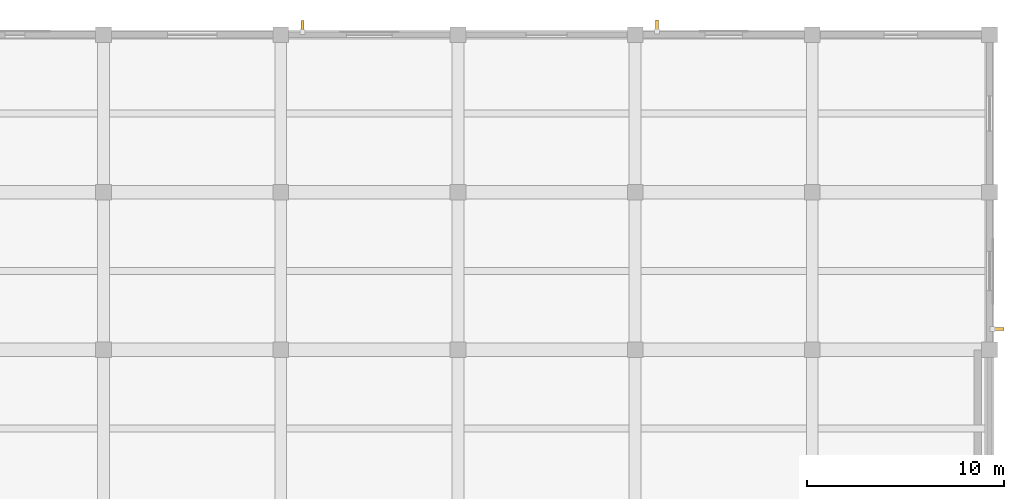
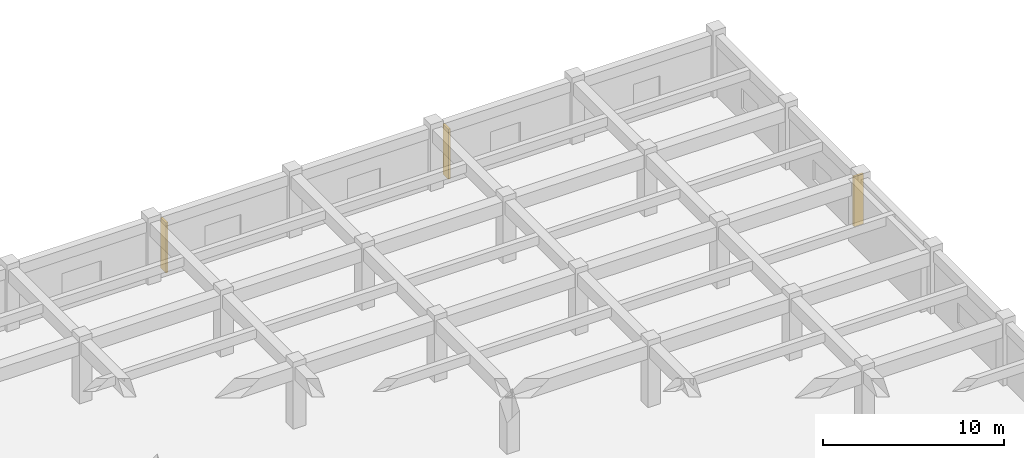
# One storey, part 50 of 50: 3 shading devices.
"""IFC4 building model written with IfcOpenShell, lengths in metres."""

from ifc_helpers import new_model, si_unit, direction, frame, frame_2d, origin, place, context, subcontext, project, spatial, rectangle, extrude, material, layer, layer_set, type_object, element, save


model = new_model("IFC4")

# Units and contexts
model_context = context("Model", 3, precision=1e-05, world=origin(), true_north=direction((0.0, 1.0)))
body_context = subcontext(model_context, "Body", "Model", "MODEL_VIEW")
ifc_project = project(units=[si_unit("LENGTHUNIT", "METRE"), si_unit("AREAUNIT", "SQUARE_METRE"), si_unit("VOLUMEUNIT", "CUBIC_METRE"), si_unit("PLANEANGLEUNIT", "RADIAN"), si_unit("MASSUNIT", "GRAM", prefix="KILO")], contexts=[model_context])

# Site, building, storey
site_placement = place(None, origin())
site = spatial("IfcSite", under=ifc_project, at=site_placement, CompositionType="ELEMENT")
building_placement = place(site_placement, origin())
building = spatial("IfcBuilding", under=site, at=building_placement, Name="Zaverband Oceanarium and Marine Research Institute", CompositionType="ELEMENT")
storey_placement = place(building_placement, frame((0.0, 0.0, 9.0)))
storey = spatial("IfcBuildingStorey", under=building, at=storey_placement, Name="L02", CompositionType="ELEMENT", Elevation=9.0)

# Shading devices
ifc_material = material(Name="Concrete C40/50 precast brise-soleil", Category="concrete")
ifc_layer = layer(ifc_material, 0.139892578125, Name="Concrete C40/50 precast brise-soleil")
ifc_layer_set = layer_set([ifc_layer], Name="Concrete C40/50 precast brise-soleil")
shading_device_type = type_object("IfcShadingDeviceType", Name="SHD-FIN-600", PredefinedType="JALOUSIE", material=ifc_layer_set)
for number, where, z_axis, x_axis, name in (
    (1, (145.10498046875, 120.125, 0.0), (0.0, 0.0, 1.0), (0.0, 1.0, 0.0), "600 mm vertical precast brise-soleil fin SHD-FIN-600"),
    (2, (163.10498046875, 120.14990234375, 0.0), (0.0, 0.0, 1.0), (0.0, 1.0, 0.0), "600 mm vertical precast brise-soleil fin SHD-FIN-600"),
    (3, (180.135009765625, 105.054931640625, 0.0), (0.0, 0.0, 1.0), (1.0, 0.0, 0.0), "600 mm vertical precast brise-soleil fin SHD-FIN-600"),
):
    element("IfcShadingDevice", number, at=place(storey_placement, frame(where, z_axis=z_axis, x_axis=x_axis)), inside=storey, type_object=shading_device_type, Name=name, PredefinedType="JALOUSIE", context=body_context, shape_type="SweptSolid", body=[
        extrude(rectangle(XDim=0.60009765625, YDim=0.139892578125, at=frame_2d((0.300048828125, 0.0))), origin(), (0.0, 0.0, 1.0), 3.3701171875),
    ])

save(model, "model.ifc")
